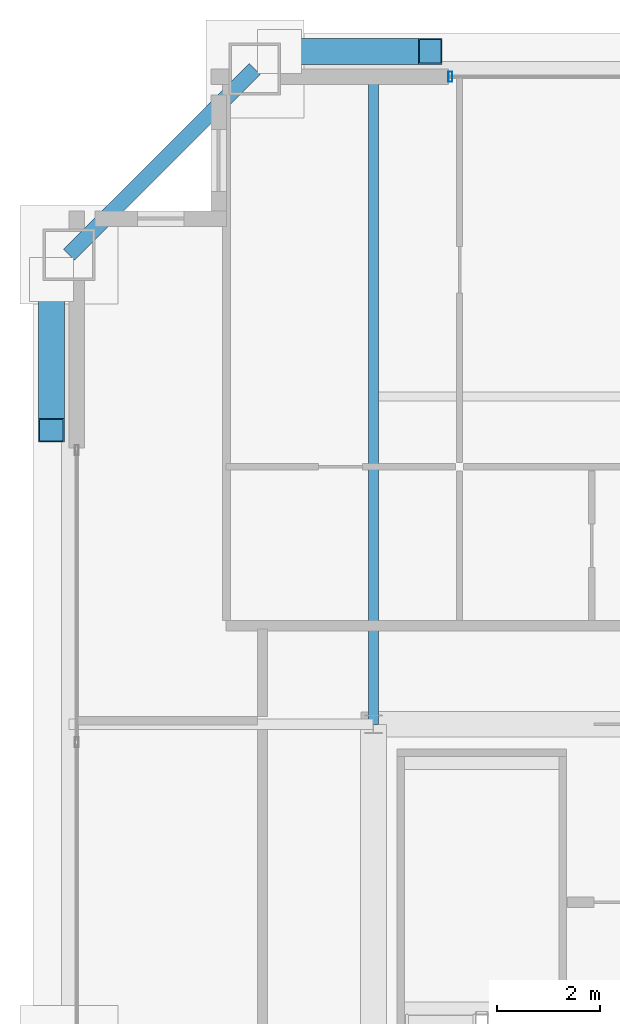
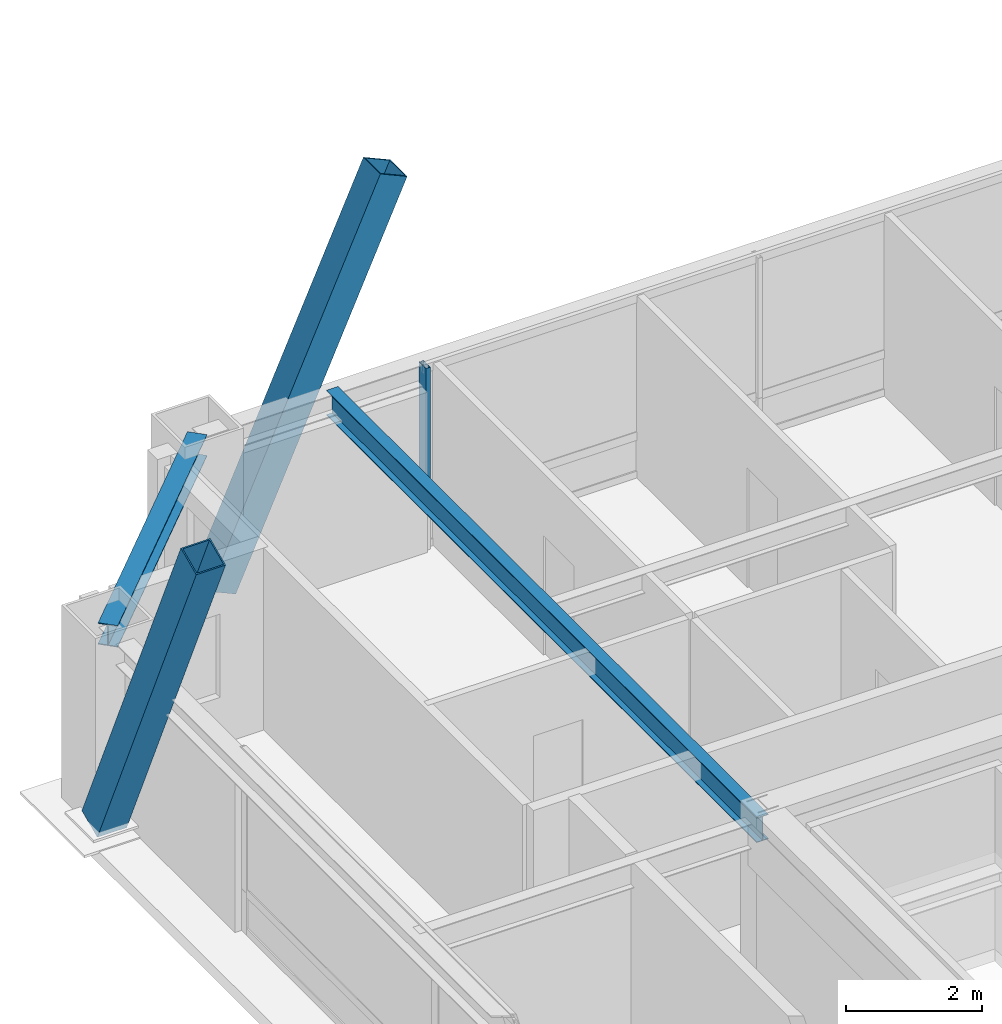
# One storey, part 16 of 35: 3 members, 2 beams, 1 element without a shape of its own.
"""IFC4 building model written with IfcOpenShell, lengths in metres."""

from ifc_helpers import new_model, si_unit, direction, frame, origin, origin_2d, place, context, subcontext, project, spatial, hollow_rectangle, i_section, extrude, source, transform, mapped, material, layer, layer_set, material_profile, profile_set, type_object, element, aggregate, save


model = new_model("IFC4")

# Units and contexts
model_context = context("Model", 3, precision=1e-05, world=origin(), true_north=direction((0.0, 1.0)))
body_context = subcontext(model_context, "Body", "Model", "MODEL_VIEW")
ifc_project = project(units=[si_unit("LENGTHUNIT", "METRE"), si_unit("AREAUNIT", "SQUARE_METRE"), si_unit("VOLUMEUNIT", "CUBIC_METRE"), si_unit("PLANEANGLEUNIT", "RADIAN"), si_unit("MASSUNIT", "GRAM", prefix="KILO"), si_unit("THERMODYNAMICTEMPERATUREUNIT", "KELVIN"), si_unit("POWERUNIT", "WATT")], contexts=[model_context])

# Site, building, storey
site_placement = place(None, origin())
site = spatial("IfcSite", under=ifc_project, at=site_placement, CompositionType="ELEMENT")
building_placement = place(site_placement, origin())
building = spatial("IfcBuilding", under=site, at=building_placement, Name="Yuzanri Waterfront Tower", CompositionType="ELEMENT")
storey_placement = place(building_placement, frame((0.0, 0.0, 285.60009765625)))
storey = spatial("IfcBuildingStorey", under=building, at=storey_placement, Name="L76", CompositionType="ELEMENT", Elevation=285.60009765625)

# Beams
ifc_material_1 = material(Name="Steel Q355B", Category="steel")
ifc_material_profile_1 = material_profile(ifc_material_1, i_section(OverallWidth=0.300048828125, OverallDepth=0.389892578125, WebThickness=0.010009765625, FlangeThickness=0.01611328125, at=origin_2d()), Name="HM 390x300x10x16")
ifc_profile_set_1 = profile_set([ifc_material_profile_1], Name="Steel Q355B")
beam_type_1 = type_object("IfcBeamType", Name="Perimeter Spandrel Q355B HM 390x300", PredefinedType="SPANDREL", material=ifc_profile_set_1)
shared_shape_1 = source(origin(), body_context, "Body", "SweptSolid", [
    extrude(i_section(OverallWidth=0.300048828125, OverallDepth=0.389892578125, WebThickness=0.010009765625, FlangeThickness=0.01611328125, at=origin_2d()), origin(), (0.0, 0.0, 1.0), 5.091064453125),
])
beam_1_placement = place(storey_placement, frame((21.5, 44.89990234375, 3.0849609375), z_axis=(-0.707130757816, -0.707082803744, 0.0), x_axis=(0.707082803744, -0.707130757816, 0.0)))
element("IfcBeam", 1, at=beam_1_placement, inside=storey, type_object=beam_type_1, Name="L76 Perimeter Spandrel N1-W3", PredefinedType="SPANDREL", context=body_context, shape_type="MappedRepresentation", body=[
    mapped(shared_shape_1, transform((0.0, 0.0, 0.0), scale=1.0)),
])
ifc_material_2 = material(Name="Steel Q355B", Category="steel")
ifc_material_profile_2 = material_profile(ifc_material_2, i_section(OverallWidth=0.199951171875, OverallDepth=0.449951171875, WebThickness=0.009033203125, FlangeThickness=0.013916015625, at=origin_2d()), Name="HN 450x200x9x14")
ifc_profile_set_2 = profile_set([ifc_material_profile_2], Name="Steel Q355B")
beam_type_2 = type_object("IfcBeamType", Name="Secondary Floor Beam Q355B HN 450x200", PredefinedType="BEAM", material=ifc_profile_set_2)
shared_shape_2 = source(origin(), body_context, "Body", "SweptSolid", [
    extrude(i_section(OverallWidth=0.199951171875, OverallDepth=0.449951171875, WebThickness=0.009033203125, FlangeThickness=0.013916015625, at=origin_2d()), origin(), (0.0, 0.0, 1.0), 12.699951171875),
])
beam_2_placement = place(storey_placement, frame((23.800048828125, 32.199951171875, 3.054931640625), z_axis=(0.0, 1.0, 0.0), x_axis=(-1.0, 0.0, 0.0)))
element("IfcBeam", 2, at=beam_2_placement, inside=storey, type_object=beam_type_2, Name="L76 North-West Core Line Beam", PredefinedType="BEAM", context=body_context, shape_type="MappedRepresentation", body=[
    mapped(shared_shape_2, transform((0.0, 0.0, 0.0), scale=1.0)),
])

# Members
ifc_material_3 = material(Name="Steel Q390GJC", Category="steel")
ifc_material_profile_3 = material_profile(ifc_material_3, hollow_rectangle(XDim=0.5, YDim=0.5, WallThickness=0.02197265625, at=origin_2d()), Name="RHS 500x500x22")
ifc_profile_set_3 = profile_set([ifc_material_profile_3], Name="Steel Q390GJC")
member_type_1 = type_object("IfcMemberType", Name="Mega Brace Upper Q390GJC RHS 500x500x22", PredefinedType="BRACE", material=ifc_profile_set_3)
shared_shape_3 = source(origin(), body_context, "Body", "SweptSolid", [
    extrude(hollow_rectangle(XDim=0.5, YDim=0.5, WallThickness=0.02197265625, at=origin_2d()), origin(), (0.0, 0.0, 1.0), 7.125732421875),
])
for number, where, z_axis, x_axis, name in (
    (3, (21.97998046875, 45.239990234375, 0.179931640625), (0.409771952938, 0.0, 0.912187999584), (0.0, 1.0, 0.0), "L76-L77 Perimeter Mega-Brace N-L"),
    (4, (17.56005859375, 40.820068359375, 0.179931640625), (0.0, -0.409800461192, 0.912175192607), (1.0, 0.0, 0.0), "L76-L77 Perimeter Mega-Brace W-R"),
):
    element("IfcMember", number, at=place(storey_placement, frame(where, z_axis=z_axis, x_axis=x_axis)), inside=storey, type_object=member_type_1, Name=name, PredefinedType="BRACE", context=body_context, shape_type="MappedRepresentation", body=[
        mapped(shared_shape_3, transform((0.0, 0.0, 0.0), scale=1.0)),
    ])

# Curtain wall, member
ifc_material_4 = material(Name="Anodized Architectural Bronze", Category="metal")
ifc_layer = layer(ifc_material_4, 0.159912109375)
ifc_layer_set = layer_set([ifc_layer], Name="Anodized Architectural Bronze")
curtain_wall_type = type_object("IfcCurtainWallType", Name="Anodized Bronze High-Rise Penthouse High-Wind Unitized Curtain Wall 6900", PredefinedType="NOTDEFINED", material=ifc_layer_set)
curtain_wall_placement = place(storey_placement, origin())
curtain_wall = element("IfcCurtainWall", 5, at=curtain_wall_placement, inside=storey, type_object=curtain_wall_type, Name="L76 Curtain Wall CW-L76-NL", PredefinedType="NOTDEFINED")
ifc_material_5 = material(Name="Anodized Architectural Bronze", Category="metal")
ifc_material_profile_4 = material_profile(ifc_material_5, hollow_rectangle(XDim=0.074951171875, YDim=0.199951171875, WallThickness=0.00390625, at=origin_2d()), Name="CWM 75x200")
ifc_profile_set_4 = profile_set([ifc_material_profile_4], Name="Anodized Architectural Bronze")
member_type_2 = type_object("IfcMemberType", Name="Anodized Bronze Primary Curtain-Wall Mullion 75x200", PredefinedType="MULLION", material=ifc_profile_set_4)
shared_shape_4 = source(origin(), body_context, "Body", "SweptSolid", [
    extrude(hollow_rectangle(XDim=0.074951171875, YDim=0.199951171875, WallThickness=0.00390625, at=origin_2d()), origin(), (0.0, 0.0, 1.0), 2.52392578125),
])
member_placement = place(storey_placement, frame((25.2900390625, 44.75, 0.755859375), z_axis=(0.0, 0.0, 1.0), x_axis=(1.0, 0.0, 0.0)))
member = element("IfcMember", 6, at=member_placement, type_object=member_type_2, Name="CW-L76-NL Upper Mullion 00", PredefinedType="MULLION", context=body_context, shape_type="MappedRepresentation", body=[
    mapped(shared_shape_4, transform((0.0, 0.0, 0.0), scale=1.0)),
])
aggregate(curtain_wall, [member])

save(model, "model.ifc")
